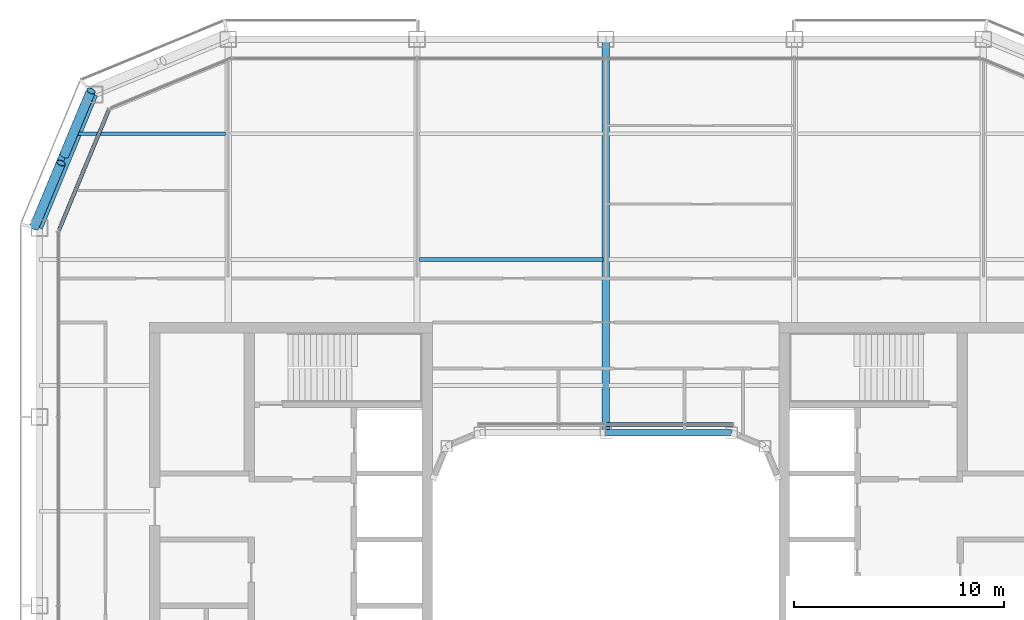
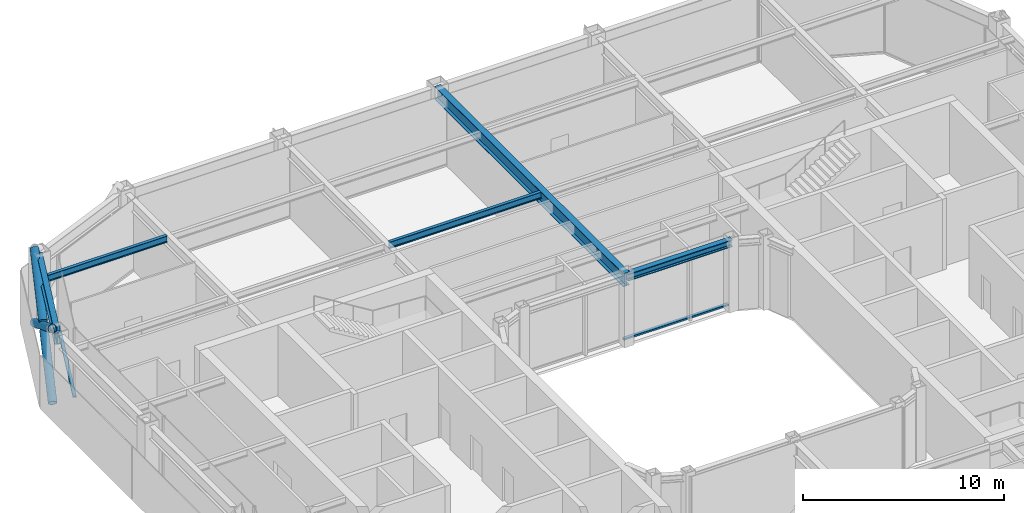
# One storey, part 7 of 23: 5 beams, 5 members, 2 elements without a shape of their own.
"""IFC4 building model written with IfcOpenShell, lengths in metres."""

from ifc_helpers import new_model, si_unit, direction, frame, origin, origin_2d, place, context, subcontext, project, spatial, rectangle, hollow_circle, i_section, extrude, material, layer, layer_set, material_profile, profile_set, type_object, element, aggregate, save


model = new_model("IFC4")

# Units and contexts
model_context = context("Model", 3, precision=1e-05, world=origin(), true_north=direction((0.0, 1.0)))
body_context = subcontext(model_context, "Body", "Model", "MODEL_VIEW")
ifc_project = project(units=[si_unit("LENGTHUNIT", "METRE"), si_unit("AREAUNIT", "SQUARE_METRE"), si_unit("VOLUMEUNIT", "CUBIC_METRE"), si_unit("PLANEANGLEUNIT", "RADIAN"), si_unit("MASSUNIT", "GRAM", prefix="KILO")], contexts=[model_context])

# Site, building, storey
site_placement = place(None, origin())
site = spatial("IfcSite", under=ifc_project, at=site_placement, CompositionType="ELEMENT")
building_placement = place(site_placement, origin())
building = spatial("IfcBuilding", under=site, at=building_placement, Name="Siwar Civic Tower", CompositionType="ELEMENT")
storey_placement = place(building_placement, frame((0.0, 0.0, 273.699951171875)))
storey = spatial("IfcBuildingStorey", under=building, at=storey_placement, Name="L59", CompositionType="ELEMENT", Elevation=273.699951171875)

# Curtain wall, member
ifc_material_1 = material(Name="Aluminium clad insulated panel", Category="aluminium")
ifc_layer_1 = layer(ifc_material_1, 0.179931640625)
ifc_layer_set_1 = layer_set([ifc_layer_1], Name="Aluminium clad insulated panel")
curtain_wall_type_1 = type_object("IfcCurtainWallType", Name="ENV-CW-CX", PredefinedType="NOTDEFINED", material=ifc_layer_set_1)
curtain_wall_1_placement = place(storey_placement, origin())
curtain_wall_1 = element("IfcCurtainWall", 1, at=curtain_wall_1_placement, inside=storey, type_object=curtain_wall_type_1, Name="Curtain wall C NW2", PredefinedType="NOTDEFINED")
ifc_material_2 = material(Name="Aluminium 6063-T6", Category="aluminium")
ifc_material_profile_1 = material_profile(ifc_material_2, rectangle(XDim=0.179931640625, YDim=0.10009765625, at=origin_2d()), Name="AL 180x100")
ifc_profile_set_1 = profile_set([ifc_material_profile_1], Name="Aluminium 6063-T6")
member_type_1 = type_object("IfcMemberType", Name="ENV-TRANSOM-C", PredefinedType="USERDEFINED", material=ifc_profile_set_1)
member_1_placement = place(storey_placement, frame((-23.6865234375, 23.6474609375, 0.050048828125), z_axis=(-0.382691366456, -0.923876246063, 0.0), x_axis=(0.923876246063, -0.382691366456, 0.0)))
member_1 = element("IfcMember", 2, at=member_1_placement, type_object=member_type_1, Name="Transom C NW2 1", ObjectType="TRANSOM", PredefinedType="USERDEFINED", context=body_context, shape_type="SweptSolid", body=[
    extrude(rectangle(XDim=0.179931640625, YDim=0.10009765625, at=origin_2d()), origin(), (0.0, 0.0, 1.0), 6.20166015625),
])
aggregate(curtain_wall_1, [member_1])

ifc_material_3 = material(Name="Aluminium and glass", Category="aluminium")
ifc_layer_2 = layer(ifc_material_3, 0.179931640625)
ifc_layer_set_2 = layer_set([ifc_layer_2], Name="Aluminium and glass")
curtain_wall_type_2 = type_object("IfcCurtainWallType", Name="ENV-CW-W", PredefinedType="NOTDEFINED", material=ifc_layer_set_2)
curtain_wall_2_placement = place(storey_placement, origin())
curtain_wall_2 = element("IfcCurtainWall", 3, at=curtain_wall_2_placement, inside=storey, type_object=curtain_wall_type_2, Name="Curtain wall W WN", PredefinedType="NOTDEFINED")
ifc_material_4 = material(Name="Aluminium 6063-T6", Category="aluminium")
ifc_material_profile_2 = material_profile(ifc_material_4, rectangle(XDim=0.179931640625, YDim=0.10009765625, at=origin_2d()), Name="AL 180x100")
ifc_profile_set_2 = profile_set([ifc_material_profile_2], Name="Aluminium 6063-T6")
member_type_2 = type_object("IfcMemberType", Name="ENV-TRANSOM-W", PredefinedType="USERDEFINED", material=ifc_profile_set_2)
member_2_placement = place(storey_placement, frame((6.046630859375, 8.635009765625, 0.050048828125), z_axis=(-1.0, 0.0, 0.0), x_axis=(0.0, -1.0, 0.0)))
member_2 = element("IfcMember", 4, at=member_2_placement, type_object=member_type_2, Name="Transom W WN 1", ObjectType="TRANSOM", PredefinedType="USERDEFINED", context=body_context, shape_type="SweptSolid", body=[
    extrude(rectangle(XDim=0.179931640625, YDim=0.10009765625, at=origin_2d()), origin(), (0.0, 0.0, 1.0), 6.0166015625),
])
aggregate(curtain_wall_2, [member_2])

# Members
ifc_material_5 = material(Name="Steel S355", Category="steel")
ifc_material_profile_3 = material_profile(ifc_material_5, hollow_circle(Radius=0.228515625, WallThickness=0.02001953125, at=origin_2d()), Name="CHS457x20")
ifc_profile_set_3 = profile_set([ifc_material_profile_3], Name="Steel S355")
member_type_3 = type_object("IfcMemberType", Name="STR-BR-CHS457x20", PredefinedType="BRACE", material=ifc_profile_set_3)
member_3_placement = place(storey_placement, frame((-24.540771484375, 24.540771484375, 0.0), z_axis=(-0.323905527954, -0.777554562952, 0.538975055633), x_axis=(0.923108759191, -0.384538969033, 0.0)))
element("IfcMember", 5, at=member_3_placement, inside=storey, type_object=member_type_3, Name="L59/brc/CNW1-19-0-1", PredefinedType="BRACE", context=body_context, shape_type="SweptSolid", body=[
    extrude(hollow_circle(Radius=0.228515625, WallThickness=0.02001953125, at=origin_2d()), origin(), (0.0, 0.0, 1.0), 8.34912109375),
])
for number, where, z_axis, x_axis, name in (
    (6, (-27.2451171875, 18.048828125, 0.0), (0.323884455881, 0.777546448489, 0.538999424564), (-0.92311621485, 0.38452107079, 0.0), "L59/brc/CNW1-19-0-2"),
    (7, (-25.81298828125, 21.486572265625, 2.383056640625), (0.323895306243, 0.777572496853, 0.538955325357), (-0.92311621485, 0.38452107079, 0.0), "L59/brc/CNW1-19-0-3"),
):
    element("IfcMember", number, at=place(storey_placement, frame(where, z_axis=z_axis, x_axis=x_axis)), inside=storey, type_object=member_type_3, Name=name, PredefinedType="BRACE", context=body_context, shape_type="SweptSolid", body=[
        extrude(hollow_circle(Radius=0.228515625, WallThickness=0.02001953125, at=origin_2d()), origin(), (0.0, 0.0, 1.0), 3.927978515625),
    ])

# Beams
ifc_material_6 = material(Name="Steel S355", Category="steel")
ifc_material_profile_4 = material_profile(ifc_material_6, i_section(OverallWidth=0.179931640625, OverallDepth=0.39990234375, WebThickness=0.008544921875, FlangeThickness=0.013427734375, FilletRadius=0.02099609375, at=origin_2d()), Name="IPE400")
ifc_profile_set_4 = profile_set([ifc_material_profile_4], Name="Steel S355")
beam_type_1 = type_object("IfcBeamType", Name="STR-FB-IPE400", PredefinedType="JOIST", material=ifc_profile_set_4)
beam_1_placement = place(storey_placement, frame((-8.8701171875, 16.5, 4.10009765625), z_axis=(1.0, 0.0, 0.0), x_axis=(0.0, 1.0, 0.0)))
element("IfcBeam", 8, at=beam_1_placement, inside=storey, type_object=beam_type_1, Name="L59/bm/F033", PredefinedType="JOIST", context=body_context, shape_type="SweptSolid", body=[
    extrude(i_section(OverallWidth=0.179931640625, OverallDepth=0.39990234375, WebThickness=0.008544921875, FlangeThickness=0.013427734375, FilletRadius=0.02099609375, at=origin_2d()), origin(), (0.0, 0.0, 1.0), 8.740234375),
])
beam_2_placement = place(storey_placement, frame((-25.135986328125, 22.5, 4.10009765625), z_axis=(1.0, 0.0, 0.0), x_axis=(0.0, 1.0, 0.0)))
element("IfcBeam", 9, at=beam_2_placement, inside=storey, type_object=beam_type_1, Name="L59/bm/F037", PredefinedType="JOIST", context=body_context, shape_type="SweptSolid", body=[
    extrude(i_section(OverallWidth=0.179931640625, OverallDepth=0.39990234375, WebThickness=0.008544921875, FlangeThickness=0.013427734375, FilletRadius=0.02099609375, at=origin_2d()), origin(), (0.0, 0.0, 1.0), 7.006103515625),
])
ifc_material_7 = material(Name="Steel S355", Category="steel")
ifc_material_profile_5 = material_profile(ifc_material_7, i_section(OverallWidth=0.360107421875, OverallDepth=0.800048828125, WebThickness=0.013916015625, FlangeThickness=0.031982421875, at=origin_2d()), Name="PG800x360x14x32")
ifc_profile_set_5 = profile_set([ifc_material_profile_5], Name="Steel S355")
beam_type_2 = type_object("IfcBeamType", Name="STR-PG-PG800x360x14x32", PredefinedType="BEAM", material=ifc_profile_set_5)
beam_3_placement = place(storey_placement, frame((0.0, 8.25, 3.900146484375), z_axis=(0.0, 1.0, 0.0), x_axis=(-1.0, 0.0, 0.0)))
element("IfcBeam", 10, at=beam_3_placement, inside=storey, type_object=beam_type_2, Name="L59/bm/G06", PredefinedType="BEAM", context=body_context, shape_type="SweptSolid", body=[
    extrude(i_section(OverallWidth=0.360107421875, OverallDepth=0.800048828125, WebThickness=0.013916015625, FlangeThickness=0.031982421875, at=origin_2d()), origin(), (0.0, 0.0, 1.0), 18.75),
])
ifc_material_8 = material(Name="Steel S355", Category="steel")
ifc_material_profile_6 = material_profile(ifc_material_8, i_section(OverallWidth=0.306884765625, OverallDepth=0.431884765625, WebThickness=0.02099609375, FlangeThickness=0.0400390625, FilletRadius=0.027099609375, at=origin_2d()), Name="HEM400")
ifc_profile_set_6 = profile_set([ifc_material_profile_6], Name="Steel S355")
beam_type_3 = type_object("IfcBeamType", Name="STR-RB-HEM400", PredefinedType="BEAM", material=ifc_profile_set_6)
beam_4_placement = place(storey_placement, frame((0.0, 8.25, 4.083984375), z_axis=(1.0, 0.0, 0.0), x_axis=(0.0, 1.0, 0.0)))
element("IfcBeam", 11, at=beam_4_placement, inside=storey, type_object=beam_type_3, Name="L59/bm/RN2", PredefinedType="BEAM", context=body_context, shape_type="SweptSolid", body=[
    extrude(i_section(OverallWidth=0.306884765625, OverallDepth=0.431884765625, WebThickness=0.02099609375, FlangeThickness=0.0400390625, FilletRadius=0.027099609375, at=origin_2d()), origin(), (0.0, 0.0, 1.0), 6.0),
])
ifc_material_9 = material(Name="Steel S355", Category="steel")
ifc_material_profile_7 = material_profile(ifc_material_9, i_section(OverallWidth=0.300048828125, OverallDepth=0.800048828125, WebThickness=0.017578125, FlangeThickness=0.032958984375, FilletRadius=0.030029296875, at=origin_2d()), Name="HEB800")
ifc_profile_set_7 = profile_set([ifc_material_profile_7], Name="Steel S355")
beam_type_4 = type_object("IfcBeamType", Name="STR-SB-HEB800", PredefinedType="BEAM", material=ifc_profile_set_7)
beam_5_placement = place(storey_placement, frame((-24.364013671875, 24.364013671875, 3.900146484375), z_axis=(-0.382674207535, -0.923883353507, 0.0), x_axis=(0.923883353507, -0.382674207535, 0.0)))
element("IfcBeam", 12, at=beam_5_placement, inside=storey, type_object=beam_type_4, Name="L59/bm/SNW2-0", PredefinedType="BEAM", context=body_context, shape_type="SweptSolid", body=[
    extrude(i_section(OverallWidth=0.300048828125, OverallDepth=0.800048828125, WebThickness=0.017578125, FlangeThickness=0.032958984375, FilletRadius=0.030029296875, at=origin_2d()), origin(), (0.0, 0.0, 1.0), 6.888427734375),
])

save(model, "model.ifc")
